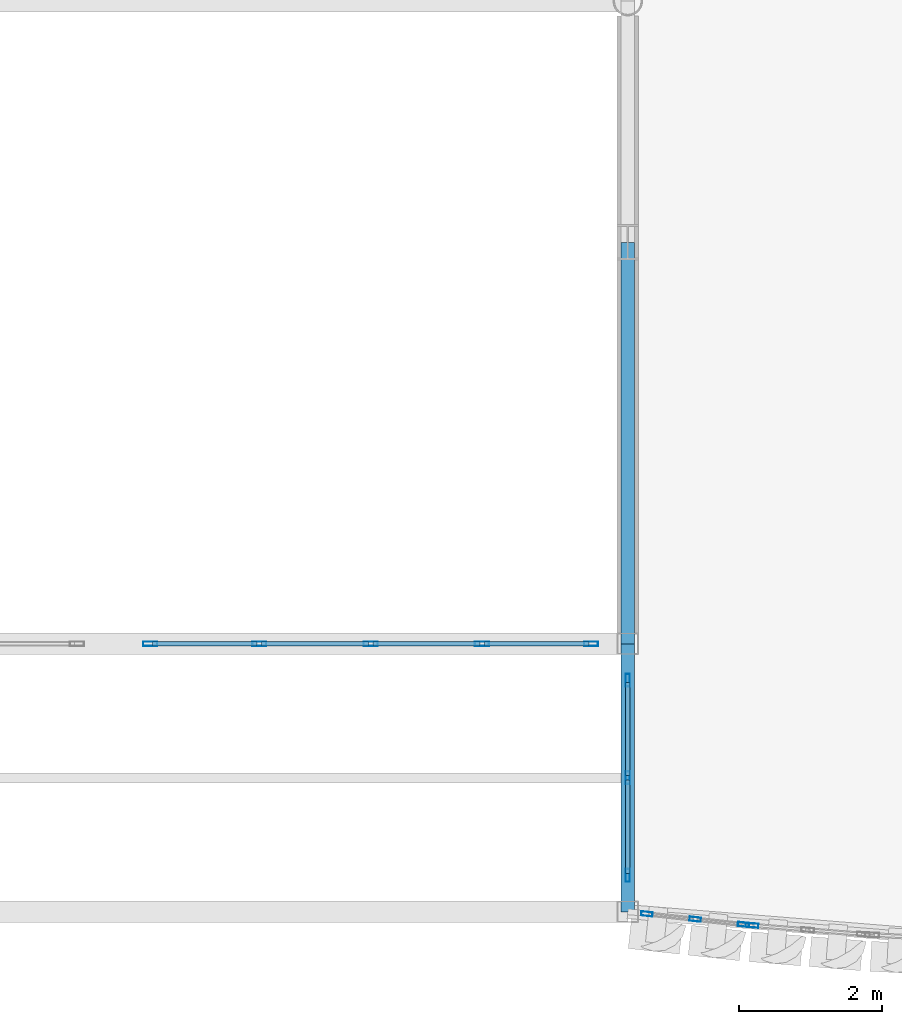
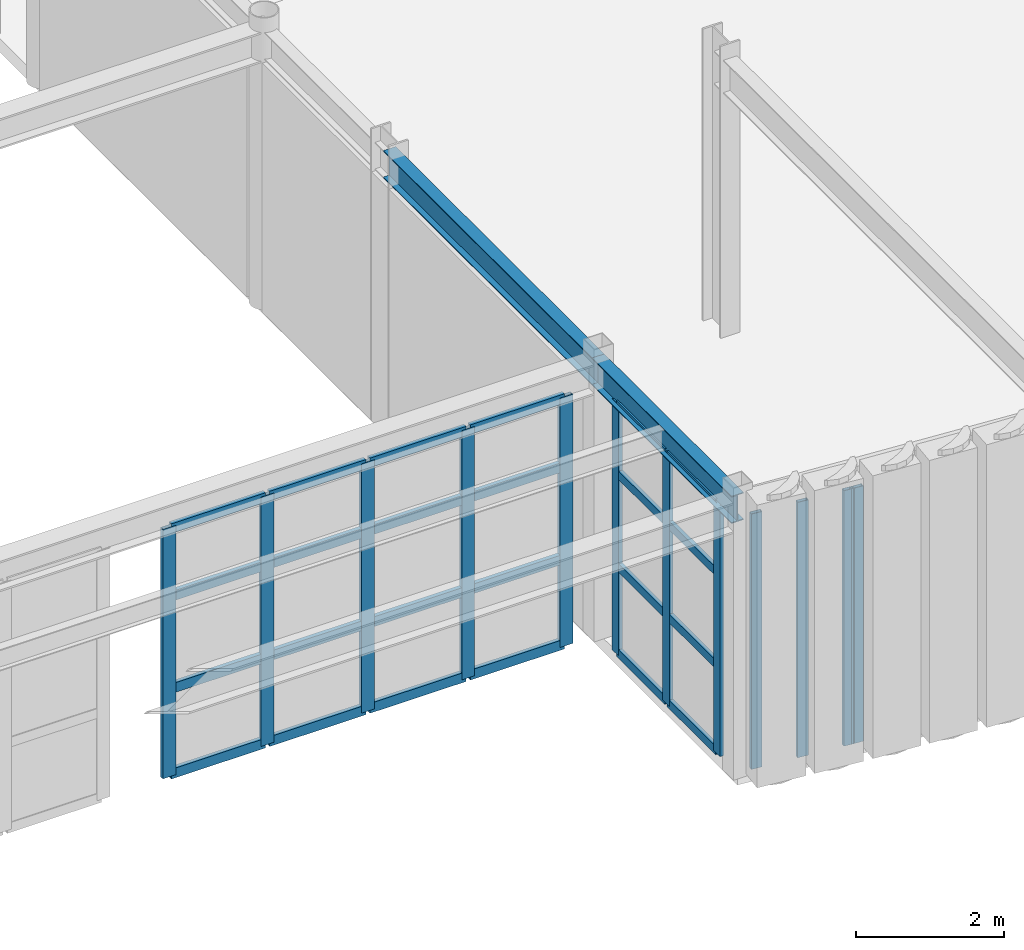
# One storey, part 43 of 121: 36 members, 2 beams, 4 elements without a shape of their own.
"""IFC4 building model written with IfcOpenShell, lengths in metres."""

import ifcopenshell
import ifcopenshell.guid

model = None  # the IFC model being written
_history = None  # IfcOwnerHistory: only IFC2X3 demands one
_inside = {}  # id of a spatial element -> (the spatial element, [elements in it])
_under = {}  # id of a project, library or spatial element -> (it, [spatial elements below it])
_declared = {}  # id of a project -> (the project, [libraries it declares])
_typed = {}  # id of a type object -> (the type object, [elements of that type])
_made_of = {}  # id of a material, layer set ... -> (it, [elements and type objects made of it])


def new_model(schema):
    """Start an empty IFC model of exactly this schema.

    Asked for "IFC4X3", IfcOpenShell would pick the latest addendum, in which some entities
    have other attributes; the version numbers below select the first issue.
    IFC2X3 requires an IfcOwnerHistory on every rooted entity: one is made here for all.
    """
    global model, _history
    if schema == "IFC4X3":
        model = ifcopenshell.file(schema_version=(4, 3, 0, 0))
    else:
        model = ifcopenshell.file(schema=schema)
    _inside.clear()
    _under.clear()
    _declared.clear()
    _typed.clear()
    _made_of.clear()
    _history = None
    if model.schema == "IFC2X3":
        org = make("IfcOrganization", Name="unknown")
        user = make(
            "IfcPersonAndOrganization",
            ThePerson=make("IfcPerson", FamilyName="unknown"),
            TheOrganization=org,
        )
        app = make(
            "IfcApplication",
            ApplicationDeveloper=org,
            Version="unknown",
            ApplicationFullName="unknown",
            ApplicationIdentifier="unknown",
        )
        _history = make(
            "IfcOwnerHistory",
            OwningUser=user,
            OwningApplication=app,
            ChangeAction="ADDED",
            CreationDate=0,
        )
    return model


def make(cls, **values):
    """One entity of the class cls with the attributes given. An attribute that is None is left unset."""
    return model.create_entity(
        cls, **{name: value for name, value in values.items() if value is not None}
    )


def rooted(cls, **values):
    """An entity with a GlobalId (a new one), such as an element, a storey or a relation."""
    return make(cls, GlobalId=ifcopenshell.guid.new(), OwnerHistory=_history, **values)


def si_unit(unit_type, name, prefix=None):
    """IfcSIUnit, for example si_unit("LENGTHUNIT", "METRE", prefix="MILLI")."""
    return make("IfcSIUnit", UnitType=unit_type, Prefix=prefix, Name=name)


def assignment(units):
    """IfcUnitAssignment: the units of a project."""
    return None if units is None else make("IfcUnitAssignment", Units=units)


def point(xyz):
    """IfcCartesianPoint."""
    return None if xyz is None else make("IfcCartesianPoint", Coordinates=xyz)


def direction(xyz):
    """IfcDirection."""
    return None if xyz is None else make("IfcDirection", DirectionRatios=xyz)


def frame(location, z_axis=None, x_axis=None):
    """IfcAxis2Placement3D, a coordinate frame: its origin and axes. An axis left out is left unset."""
    return make(
        "IfcAxis2Placement3D",
        Location=point(location),
        Axis=direction(z_axis),
        RefDirection=direction(x_axis),
    )


def frame_2d(location, x_axis=None):
    """IfcAxis2Placement2D, a coordinate frame in the plane: its origin and x axis."""
    return make(
        "IfcAxis2Placement2D", Location=point(location), RefDirection=direction(x_axis)
    )


def origin():
    """The frame at (0, 0, 0) with its axes left unset."""
    return frame((0.0, 0.0, 0.0))


def origin_2d():
    """The frame at (0, 0) in the plane with its x axis left unset."""
    return frame_2d((0.0, 0.0))


def place(relative_to, where):
    """IfcLocalPlacement: puts the frame where relative to a parent placement (None: the world)."""
    return make(
        "IfcLocalPlacement", PlacementRelTo=relative_to, RelativePlacement=where
    )


def context(
    kind, dimensions, precision=None, world=None, true_north=None, identifier=None
):
    """IfcGeometricRepresentationContext, for example the 3D "Model" context."""
    return make(
        "IfcGeometricRepresentationContext",
        ContextIdentifier=identifier,
        ContextType=kind,
        CoordinateSpaceDimension=dimensions,
        Precision=precision,
        WorldCoordinateSystem=world,
        TrueNorth=true_north,
    )


def subcontext(parent, identifier, kind, view, scale=None):
    """IfcGeometricRepresentationSubContext, for example "Body" below "Model"."""
    return make(
        "IfcGeometricRepresentationSubContext",
        ContextIdentifier=identifier,
        ContextType=kind,
        ParentContext=parent,
        TargetScale=scale,
        TargetView=view,
    )


def project(units=None, contexts=None):
    """IfcProject with its units and contexts."""
    return rooted(
        "IfcProject",
        Name="project",
        RepresentationContexts=contexts,
        UnitsInContext=assignment(units),
    )


def spatial(cls, under=None, at=None, **own):
    """A site, building, storey or space (cls), placed at a placement, below another one or the project."""
    s = rooted(cls, ObjectPlacement=at, **own)
    if under is not None:
        _under.setdefault(under.id(), (under, []))[1].append(s)
    return s


def profile(cls, at=None, kind="AREA", **sizes):
    """A parametric profile (cls). Its sizes go by their IFC names, for example OverallWidth=200.0."""
    return make(cls, ProfileType=kind, Position=at, **sizes)


def hollow_rectangle(**sizes):
    """IfcRectangleHollowProfileDef."""
    return profile("IfcRectangleHollowProfileDef", **sizes)


def i_section(**sizes):
    """IfcIShapeProfileDef."""
    return profile("IfcIShapeProfileDef", **sizes)


def extrude(swept, where, along, depth):
    """IfcExtrudedAreaSolid: the profile swept, set in the frame where, extruded along a direction by depth."""
    return make(
        "IfcExtrudedAreaSolid",
        SweptArea=swept,
        Position=where,
        ExtrudedDirection=direction(along),
        Depth=depth,
    )


def shape(context_of_items, identifier, shape_type, items):
    """IfcShapeRepresentation: the items that make up one representation, for example the "Body"."""
    return make(
        "IfcShapeRepresentation",
        ContextOfItems=context_of_items,
        RepresentationIdentifier=identifier,
        RepresentationType=shape_type,
        Items=items,
    )


def material(Name=None, Category=None):
    """IfcMaterial."""
    return make("IfcMaterial", Name=Name, Category=Category)


def layer(
    of_material, thickness, ventilated=None, Name=None, Category=None, Priority=None
):
    """IfcMaterialLayer: one layer of a wall or slab, of a material (None: an air gap)."""
    return make(
        "IfcMaterialLayer",
        Material=of_material,
        LayerThickness=thickness,
        IsVentilated=ventilated,
        Name=Name,
        Category=Category,
        Priority=Priority,
    )


def layer_set(layers, Name=None):
    """IfcMaterialLayerSet."""
    return make("IfcMaterialLayerSet", MaterialLayers=layers, LayerSetName=Name)


def material_profile(
    of_material, cross_section, Name=None, Category=None, Priority=None
):
    """IfcMaterialProfile: a cross section and its material."""
    return make(
        "IfcMaterialProfile",
        Name=Name,
        Material=of_material,
        Profile=cross_section,
        Priority=Priority,
        Category=Category,
    )


def profile_set(profiles, Name=None, composite=None):
    """IfcMaterialProfileSet."""
    return make(
        "IfcMaterialProfileSet",
        Name=Name,
        MaterialProfiles=profiles,
        CompositeProfile=composite,
    )


def made_of(thing, what):
    """Note that an element or type object is made of a material, layer set ...; save() writes the relation."""
    if what is not None:
        _made_of.setdefault(what.id(), (what, []))[1].append(thing)
    return thing


def type_object(cls, material=None, **own):
    """A type object (cls), such as IfcWallType, which elements share."""
    return made_of(rooted(cls, **own), material)


def element(
    cls,
    number,
    at=None,
    inside=None,
    cuts=None,
    type_object=None,
    material=None,
    context=None,
    identifier="Body",
    shape_type=None,
    held_by="IfcProductDefinitionShape",
    body=None,
    shapes=None,
    **own,
):
    """One element of the class cls, such as IfcWall. Its Tag is "e" and its number.

    at: its placement. inside: the storey or other place that contains it. cuts: it is an
    opening in that element (IfcRelVoidsElement). A single representation is given by context,
    identifier, shape_type and body (its items); several are given by shapes. held_by: the class
    of the entity that holds the representations. save() writes the other relations.
    """
    e = rooted(cls, Tag="e%d" % number, ObjectPlacement=at, **own)
    if body is not None:
        shapes = [shape(context, identifier, shape_type, body)]
    if shapes is not None:
        e.Representation = make(held_by, Representations=shapes)
    if inside is not None:
        _inside.setdefault(inside.id(), (inside, []))[1].append(e)
    if cuts is not None:
        rooted(
            "IfcRelVoidsElement", RelatingBuildingElement=cuts, RelatedOpeningElement=e
        )
    if type_object is not None:
        _typed.setdefault(type_object.id(), (type_object, []))[1].append(e)
    return made_of(e, material)


def aggregate(whole, parts):
    """IfcRelAggregates: a whole, such as a stair, and the parts it consists of."""
    return rooted("IfcRelAggregates", RelatingObject=whole, RelatedObjects=parts)


def save(model, path):
    """Write the relations noted so far, then the file.

    IfcRelAggregates (storeys below a building ...), IfcRelContainedInSpatialStructure (elements
    in a storey), IfcRelDefinesByType, IfcRelAssociatesMaterial and IfcRelDeclares: one each for
    every whole, place, type object, material and project.
    """
    for whole, parts in _under.values():
        aggregate(whole, parts)
    for where, things in _inside.values():
        rooted(
            "IfcRelContainedInSpatialStructure",
            RelatedElements=things,
            RelatingStructure=where,
        )
    for kind, things in _typed.values():
        rooted("IfcRelDefinesByType", RelatedObjects=things, RelatingType=kind)
    for what, things in _made_of.values():
        rooted("IfcRelAssociatesMaterial", RelatedObjects=things, RelatingMaterial=what)
    for by, libraries in _declared.values():
        rooted("IfcRelDeclares", RelatingContext=by, RelatedDefinitions=libraries)
    model.write(path)


model = new_model("IFC4")

# Units and contexts
model_context = context("Model", 3, precision=1e-05, world=origin(), true_north=direction((0.0, 1.0)))
body_context = subcontext(model_context, "Body", "Model", "MODEL_VIEW")
ifc_project = project(units=[si_unit("LENGTHUNIT", "METRE"), si_unit("AREAUNIT", "SQUARE_METRE"), si_unit("VOLUMEUNIT", "CUBIC_METRE"), si_unit("PLANEANGLEUNIT", "RADIAN"), si_unit("MASSUNIT", "GRAM", prefix="KILO")], contexts=[model_context])

# Site, building, storey
site_placement = place(None, origin())
site = spatial("IfcSite", under=ifc_project, at=site_placement, CompositionType="ELEMENT")
building_placement = place(site_placement, origin())
building = spatial("IfcBuilding", under=site, at=building_placement, Name="Solvadek Multi-Sports Hall", CompositionType="ELEMENT")
storey_placement = place(building_placement, frame((0.0, 0.0, 4.800048828125)))
storey = spatial("IfcBuildingStorey", under=building, at=storey_placement, Name="L01", CompositionType="ELEMENT", Elevation=4.800048828125)

# Curtain wall, members
ifc_material_1 = material(Name="Anodised aluminium", Category="aluminium")
ifc_layer_1 = layer(ifc_material_1, 0.159912109375, Name="Anodised aluminium")
ifc_layer_set_1 = layer_set([ifc_layer_1], Name="Anodised aluminium")
curtain_wall_type_1 = type_object("IfcCurtainWallType", Name="ENV-CW-142X420", PredefinedType="USERDEFINED", material=ifc_layer_set_1)
curtain_wall_1_placement = place(storey_placement, origin())
curtain_wall_1 = element("IfcCurtainWall", 1, at=curtain_wall_1_placement, inside=storey, type_object=curtain_wall_type_1, Name="L01 Crescent Curved Curtain Wall #55", ObjectType="CURTAIN WALL", PredefinedType="USERDEFINED")
ifc_material_profile_1 = material_profile(ifc_material_1, hollow_rectangle(XDim=0.06005859375, YDim=0.159912109375, WallThickness=0.00390625, at=origin_2d()), Name="ALU-M 160x60x4")
ifc_profile_set_1 = profile_set([ifc_material_profile_1], Name="Anodised aluminium")
member_type_1 = type_object("IfcMemberType", Name="ENV-CWM-01", PredefinedType="MULLION", material=ifc_profile_set_1)
member_1_placement = place(storey_placement, frame((86.66845703125, -12.782470703125, 0.0), z_axis=(0.0, 0.0, 1.0), x_axis=(0.109287601694, 0.994010171032, 0.0)))
member_1 = element("IfcMember", 2, at=member_1_placement, type_object=member_type_1, Name="CW-27 mullion 1", PredefinedType="MULLION", context=body_context, shape_type="SweptSolid", body=[
    extrude(hollow_rectangle(XDim=0.06005859375, YDim=0.159912109375, WallThickness=0.00390625, at=origin_2d()), origin(), (0.0, 0.0, 1.0), 4.199951171875),
])
member_2_placement = place(storey_placement, frame((87.344482421875, -12.856689453125, 0.0), z_axis=(0.0, 0.0, 1.0), x_axis=(0.109287601694, 0.994010171032, 0.0)))
member_2 = element("IfcMember", 3, at=member_2_placement, type_object=member_type_1, Name="CW-27 mullion 2", PredefinedType="MULLION", context=body_context, shape_type="SweptSolid", body=[
    extrude(hollow_rectangle(XDim=0.06005859375, YDim=0.159912109375, WallThickness=0.00390625, at=origin_2d()), origin(), (0.0, 0.0, 1.0), 4.199951171875),
])
member_3_placement = place(storey_placement, frame((88.020263671875, -12.930908203125, 0.0), z_axis=(0.0, 0.0, 1.0), x_axis=(0.109287601694, 0.994010171032, 0.0)))
member_3 = element("IfcMember", 4, at=member_3_placement, type_object=member_type_1, Name="CW-27 mullion 3", PredefinedType="MULLION", context=body_context, shape_type="SweptSolid", body=[
    extrude(hollow_rectangle(XDim=0.06005859375, YDim=0.159912109375, WallThickness=0.00390625, at=origin_2d()), origin(), (0.0, 0.0, 1.0), 4.199951171875),
])
aggregate(curtain_wall_1, [member_1, member_2, member_3])

# Curtain wall, member
ifc_layer_2 = layer(ifc_material_1, 0.159912109375, Name="Anodised aluminium")
ifc_layer_set_2 = layer_set([ifc_layer_2], Name="Anodised aluminium")
curtain_wall_type_2 = type_object("IfcCurtainWallType", Name="ENV-CW-163X420", PredefinedType="USERDEFINED", material=ifc_layer_set_2)
curtain_wall_2_placement = place(storey_placement, origin())
curtain_wall_2 = element("IfcCurtainWall", 5, at=curtain_wall_2_placement, inside=storey, type_object=curtain_wall_type_2, Name="L01 Crescent Curved Curtain Wall #57", ObjectType="CURTAIN WALL", PredefinedType="USERDEFINED")
ifc_material_profile_2 = material_profile(ifc_material_1, hollow_rectangle(XDim=0.06005859375, YDim=0.179931640625, WallThickness=0.00390625, at=origin_2d()), Name="ALU-M 180x60x4")
ifc_profile_set_2 = profile_set([ifc_material_profile_2], Name="Anodised aluminium")
member_type_2 = type_object("IfcMemberType", Name="ENV-CWM-02", PredefinedType="MULLION", material=ifc_profile_set_2)
member_4_placement = place(storey_placement, frame((88.139892578125, -12.9423828125, 0.0), z_axis=(0.0, 0.0, 1.0), x_axis=(0.080468973281, 0.996757114015, 0.0)))
member_4 = element("IfcMember", 6, at=member_4_placement, type_object=member_type_2, Name="CW-15 mullion 1", PredefinedType="MULLION", context=body_context, shape_type="SweptSolid", body=[
    extrude(hollow_rectangle(XDim=0.06005859375, YDim=0.179931640625, WallThickness=0.00390625, at=origin_2d()), origin(), (0.0, 0.0, 1.0), 4.199951171875),
])
aggregate(curtain_wall_2, [member_4])

# Curtain wall, members
ifc_layer_3 = layer(ifc_material_1, 0.159912109375, Name="Anodised aluminium")
ifc_layer_set_3 = layer_set([ifc_layer_3], Name="Anodised aluminium")
curtain_wall_type_3 = type_object("IfcCurtainWallType", Name="ENV-CW-279X413", PredefinedType="USERDEFINED", material=ifc_layer_set_3)
curtain_wall_3_placement = place(storey_placement, origin())
curtain_wall_3 = element("IfcCurtainWall", 7, at=curtain_wall_3_placement, inside=storey, type_object=curtain_wall_type_3, Name="L01 Perimeter Bay Curtain Wall #122", ObjectType="CURTAIN WALL", PredefinedType="USERDEFINED")
member_5_placement = place(storey_placement, frame((86.39990234375, -12.242919921875, 0.0), z_axis=(0.0, 0.0, 1.0), x_axis=(-1.0, 0.0, 0.0)))
member_5 = element("IfcMember", 8, at=member_5_placement, type_object=member_type_2, Name="CW-41 mullion 1", PredefinedType="MULLION", context=body_context, shape_type="SweptSolid", body=[
    extrude(hollow_rectangle(XDim=0.06005859375, YDim=0.179931640625, WallThickness=0.00390625, at=origin_2d()), origin(), (0.0, 0.0, 1.0), 4.125),
])
member_6_placement = place(storey_placement, frame((86.39990234375, -10.87646484375, 0.0), z_axis=(0.0, 0.0, 1.0), x_axis=(-1.0, 0.0, 0.0)))
member_6 = element("IfcMember", 9, at=member_6_placement, type_object=member_type_2, Name="CW-41 mullion 2", PredefinedType="MULLION", context=body_context, shape_type="SweptSolid", body=[
    extrude(hollow_rectangle(XDim=0.06005859375, YDim=0.179931640625, WallThickness=0.00390625, at=origin_2d()), origin(), (0.0, 0.0, 1.0), 4.125),
])
member_7_placement = place(storey_placement, frame((86.39990234375, -9.510009765625, 0.0), z_axis=(0.0, 0.0, 1.0), x_axis=(-1.0, 0.0, 0.0)))
member_7 = element("IfcMember", 10, at=member_7_placement, type_object=member_type_2, Name="CW-41 mullion 3", PredefinedType="MULLION", context=body_context, shape_type="SweptSolid", body=[
    extrude(hollow_rectangle(XDim=0.06005859375, YDim=0.179931640625, WallThickness=0.00390625, at=origin_2d()), origin(), (0.0, 0.0, 1.0), 4.125),
])

ifc_layer_4 = layer(ifc_material_1, 0.159912109375, Name="Anodised aluminium")
ifc_layer_set_4 = layer_set([ifc_layer_4], Name="Anodised aluminium")
curtain_wall_type_4 = type_object("IfcCurtainWallType", Name="ENV-CW-624X410", PredefinedType="USERDEFINED", material=ifc_layer_set_4)
curtain_wall_4_placement = place(storey_placement, origin())
curtain_wall_4 = element("IfcCurtainWall", 11, at=curtain_wall_4_placement, inside=storey, type_object=curtain_wall_type_4, Name="L01 Perimeter Bay Curtain Wall #118", ObjectType="CURTAIN WALL", PredefinedType="USERDEFINED")
ifc_material_profile_3 = material_profile(ifc_material_1, hollow_rectangle(XDim=0.06494140625, YDim=0.199951171875, WallThickness=0.0048828125, at=origin_2d()), Name="ALU-M 200x65x5")
ifc_profile_set_3 = profile_set([ifc_material_profile_3], Name="Anodised aluminium")
member_type_3 = type_object("IfcMemberType", Name="ENV-CWM-03", PredefinedType="MULLION", material=ifc_profile_set_3)
member_8_placement = place(storey_placement, frame((79.71240234375, -9.0, 0.0), z_axis=(0.0, 0.0, 1.0), x_axis=(0.0, 1.0, 0.0)))
member_8 = element("IfcMember", 12, at=member_8_placement, type_object=member_type_3, Name="CW-39 mullion 1", PredefinedType="MULLION", context=body_context, shape_type="SweptSolid", body=[
    extrude(hollow_rectangle(XDim=0.06494140625, YDim=0.199951171875, WallThickness=0.0048828125, at=origin_2d()), origin(), (0.0, 0.0, 1.0), 4.099853515625),
])
member_9_placement = place(storey_placement, frame((81.239990234375, -9.0, 0.0), z_axis=(0.0, 0.0, 1.0), x_axis=(0.0, 1.0, 0.0)))
member_9 = element("IfcMember", 13, at=member_9_placement, type_object=member_type_3, Name="CW-39 mullion 2", PredefinedType="MULLION", context=body_context, shape_type="SweptSolid", body=[
    extrude(hollow_rectangle(XDim=0.06494140625, YDim=0.199951171875, WallThickness=0.0048828125, at=origin_2d()), origin(), (0.0, 0.0, 1.0), 4.099853515625),
])
member_10_placement = place(storey_placement, frame((82.800048828125, -9.0, 0.0), z_axis=(0.0, 0.0, 1.0), x_axis=(0.0, 1.0, 0.0)))
member_10 = element("IfcMember", 14, at=member_10_placement, type_object=member_type_3, Name="CW-39 mullion 3", PredefinedType="MULLION", context=body_context, shape_type="SweptSolid", body=[
    extrude(hollow_rectangle(XDim=0.06494140625, YDim=0.199951171875, WallThickness=0.0048828125, at=origin_2d()), origin(), (0.0, 0.0, 1.0), 4.099853515625),
])
member_11_placement = place(storey_placement, frame((84.360107421875, -9.0, 0.0), z_axis=(0.0, 0.0, 1.0), x_axis=(0.0, 1.0, 0.0)))
member_11 = element("IfcMember", 15, at=member_11_placement, type_object=member_type_3, Name="CW-39 mullion 4", PredefinedType="MULLION", context=body_context, shape_type="SweptSolid", body=[
    extrude(hollow_rectangle(XDim=0.06494140625, YDim=0.199951171875, WallThickness=0.0048828125, at=origin_2d()), origin(), (0.0, 0.0, 1.0), 4.099853515625),
])
member_12_placement = place(storey_placement, frame((85.887451171875, -9.0, 0.0), z_axis=(0.0, 0.0, 1.0), x_axis=(0.0, 1.0, 0.0)))
member_12 = element("IfcMember", 16, at=member_12_placement, type_object=member_type_3, Name="CW-39 mullion 5", PredefinedType="MULLION", context=body_context, shape_type="SweptSolid", body=[
    extrude(hollow_rectangle(XDim=0.06494140625, YDim=0.199951171875, WallThickness=0.0048828125, at=origin_2d()), origin(), (0.0, 0.0, 1.0), 4.099853515625),
])

# Member
ifc_material_profile_4 = material_profile(ifc_material_1, hollow_rectangle(XDim=0.06005859375, YDim=0.139892578125, WallThickness=0.00390625, at=origin_2d()), Name="ALU-T 140x60x4")
ifc_profile_set_4 = profile_set([ifc_material_profile_4], Name="Anodised aluminium")
member_type_4 = type_object("IfcMemberType", Name="ENV-CWT-02", PredefinedType="USERDEFINED", material=ifc_profile_set_4)
member_13_placement = place(storey_placement, frame((86.39990234375, -12.212890625, 0.030029296875), z_axis=(0.0, 1.0, 0.0), x_axis=(-1.0, 0.0, 0.0)))
member_13 = element("IfcMember", 17, at=member_13_placement, type_object=member_type_4, Name="CW-41 transom 1.1", ObjectType="TRANSOM", PredefinedType="USERDEFINED", context=body_context, shape_type="SweptSolid", body=[
    extrude(hollow_rectangle(XDim=0.06005859375, YDim=0.139892578125, WallThickness=0.00390625, at=origin_2d()), origin(), (0.0, 0.0, 1.0), 1.306396484375),
])

member_14_placement = place(storey_placement, frame((86.39990234375, -12.212890625, 1.44384765625), z_axis=(0.0, 1.0, 0.0), x_axis=(-1.0, 0.0, 0.0)))
member_14 = element("IfcMember", 18, at=member_14_placement, type_object=member_type_4, Name="CW-41 transom 1.2", ObjectType="TRANSOM", PredefinedType="USERDEFINED", context=body_context, shape_type="SweptSolid", body=[
    extrude(hollow_rectangle(XDim=0.06005859375, YDim=0.139892578125, WallThickness=0.00390625, at=origin_2d()), origin(), (0.0, 0.0, 1.0), 1.306396484375),
])

member_15_placement = place(storey_placement, frame((86.39990234375, -12.212890625, 2.969970703125), z_axis=(0.0, 1.0, 0.0), x_axis=(-1.0, 0.0, 0.0)))
member_15 = element("IfcMember", 19, at=member_15_placement, type_object=member_type_4, Name="CW-41 transom 1.3", ObjectType="TRANSOM", PredefinedType="USERDEFINED", context=body_context, shape_type="SweptSolid", body=[
    extrude(hollow_rectangle(XDim=0.06005859375, YDim=0.139892578125, WallThickness=0.00390625, at=origin_2d()), origin(), (0.0, 0.0, 1.0), 1.306396484375),
])

member_16_placement = place(storey_placement, frame((86.39990234375, -12.212890625, 4.094970703125), z_axis=(0.0, 1.0, 0.0), x_axis=(-1.0, 0.0, 0.0)))
member_16 = element("IfcMember", 20, at=member_16_placement, type_object=member_type_4, Name="CW-41 transom 1.4", ObjectType="TRANSOM", PredefinedType="USERDEFINED", context=body_context, shape_type="SweptSolid", body=[
    extrude(hollow_rectangle(XDim=0.06005859375, YDim=0.139892578125, WallThickness=0.00390625, at=origin_2d()), origin(), (0.0, 0.0, 1.0), 1.306396484375),
])

member_17_placement = place(storey_placement, frame((86.39990234375, -10.846435546875, 0.030029296875), z_axis=(0.0, 1.0, 0.0), x_axis=(-1.0, 0.0, 0.0)))
member_17 = element("IfcMember", 21, at=member_17_placement, type_object=member_type_4, Name="CW-41 transom 2.1", ObjectType="TRANSOM", PredefinedType="USERDEFINED", context=body_context, shape_type="SweptSolid", body=[
    extrude(hollow_rectangle(XDim=0.06005859375, YDim=0.139892578125, WallThickness=0.00390625, at=origin_2d()), origin(), (0.0, 0.0, 1.0), 1.306396484375),
])

member_18_placement = place(storey_placement, frame((86.39990234375, -10.846435546875, 1.44384765625), z_axis=(0.0, 1.0, 0.0), x_axis=(-1.0, 0.0, 0.0)))
member_18 = element("IfcMember", 22, at=member_18_placement, type_object=member_type_4, Name="CW-41 transom 2.2", ObjectType="TRANSOM", PredefinedType="USERDEFINED", context=body_context, shape_type="SweptSolid", body=[
    extrude(hollow_rectangle(XDim=0.06005859375, YDim=0.139892578125, WallThickness=0.00390625, at=origin_2d()), origin(), (0.0, 0.0, 1.0), 1.306396484375),
])

member_19_placement = place(storey_placement, frame((86.39990234375, -10.846435546875, 2.969970703125), z_axis=(0.0, 1.0, 0.0), x_axis=(-1.0, 0.0, 0.0)))
member_19 = element("IfcMember", 23, at=member_19_placement, type_object=member_type_4, Name="CW-41 transom 2.3", ObjectType="TRANSOM", PredefinedType="USERDEFINED", context=body_context, shape_type="SweptSolid", body=[
    extrude(hollow_rectangle(XDim=0.06005859375, YDim=0.139892578125, WallThickness=0.00390625, at=origin_2d()), origin(), (0.0, 0.0, 1.0), 1.306396484375),
])

member_20_placement = place(storey_placement, frame((86.39990234375, -10.846435546875, 4.094970703125), z_axis=(0.0, 1.0, 0.0), x_axis=(-1.0, 0.0, 0.0)))
member_20 = element("IfcMember", 24, at=member_20_placement, type_object=member_type_4, Name="CW-41 transom 2.4", ObjectType="TRANSOM", PredefinedType="USERDEFINED", context=body_context, shape_type="SweptSolid", body=[
    extrude(hollow_rectangle(XDim=0.06005859375, YDim=0.139892578125, WallThickness=0.00390625, at=origin_2d()), origin(), (0.0, 0.0, 1.0), 1.306396484375),
])

aggregate(curtain_wall_3, [member_5, member_6, member_7, member_13, member_14, member_15, member_16, member_17, member_18, member_19, member_20])

ifc_material_profile_5 = material_profile(ifc_material_1, hollow_rectangle(XDim=0.06494140625, YDim=0.159912109375, WallThickness=0.00390625, at=origin_2d()), Name="ALU-T 160x65x4")
ifc_profile_set_5 = profile_set([ifc_material_profile_5], Name="Anodised aluminium")
member_type_5 = type_object("IfcMemberType", Name="ENV-CWT-03", PredefinedType="USERDEFINED", material=ifc_profile_set_5)
member_21_placement = place(storey_placement, frame((79.7451171875, -9.0, 0.032470703125), z_axis=(1.0, 0.0, 0.0), x_axis=(0.0, 1.0, 0.0)))
member_21 = element("IfcMember", 25, at=member_21_placement, type_object=member_type_5, Name="CW-39 transom 1.1", ObjectType="TRANSOM", PredefinedType="USERDEFINED", context=body_context, shape_type="SweptSolid", body=[
    extrude(hollow_rectangle(XDim=0.06494140625, YDim=0.159912109375, WallThickness=0.00390625, at=origin_2d()), origin(), (0.0, 0.0, 1.0), 1.46240234375),
])

member_22_placement = place(storey_placement, frame((79.7451171875, -9.0, 1.43505859375), z_axis=(1.0, 0.0, 0.0), x_axis=(0.0, 1.0, 0.0)))
member_22 = element("IfcMember", 26, at=member_22_placement, type_object=member_type_5, Name="CW-39 transom 1.2", ObjectType="TRANSOM", PredefinedType="USERDEFINED", context=body_context, shape_type="SweptSolid", body=[
    extrude(hollow_rectangle(XDim=0.06494140625, YDim=0.159912109375, WallThickness=0.00390625, at=origin_2d()), origin(), (0.0, 0.0, 1.0), 1.46240234375),
])

member_23_placement = place(storey_placement, frame((79.7451171875, -9.0, 2.951904296875), z_axis=(1.0, 0.0, 0.0), x_axis=(0.0, 1.0, 0.0)))
member_23 = element("IfcMember", 27, at=member_23_placement, type_object=member_type_5, Name="CW-39 transom 1.3", ObjectType="TRANSOM", PredefinedType="USERDEFINED", context=body_context, shape_type="SweptSolid", body=[
    extrude(hollow_rectangle(XDim=0.06494140625, YDim=0.159912109375, WallThickness=0.00390625, at=origin_2d()), origin(), (0.0, 0.0, 1.0), 1.46240234375),
])

member_24_placement = place(storey_placement, frame((79.7451171875, -9.0, 4.0673828125), z_axis=(1.0, 0.0, 0.0), x_axis=(0.0, 1.0, 0.0)))
member_24 = element("IfcMember", 28, at=member_24_placement, type_object=member_type_5, Name="CW-39 transom 1.4", ObjectType="TRANSOM", PredefinedType="USERDEFINED", context=body_context, shape_type="SweptSolid", body=[
    extrude(hollow_rectangle(XDim=0.06494140625, YDim=0.159912109375, WallThickness=0.00390625, at=origin_2d()), origin(), (0.0, 0.0, 1.0), 1.46240234375),
])

member_25_placement = place(storey_placement, frame((81.2724609375, -9.0, 0.032470703125), z_axis=(1.0, 0.0, 0.0), x_axis=(0.0, 1.0, 0.0)))
member_25 = element("IfcMember", 29, at=member_25_placement, type_object=member_type_5, Name="CW-39 transom 2.1", ObjectType="TRANSOM", PredefinedType="USERDEFINED", context=body_context, shape_type="SweptSolid", body=[
    extrude(hollow_rectangle(XDim=0.06494140625, YDim=0.159912109375, WallThickness=0.00390625, at=origin_2d()), origin(), (0.0, 0.0, 1.0), 1.4951171875),
])

member_26_placement = place(storey_placement, frame((81.2724609375, -9.0, 1.43505859375), z_axis=(1.0, 0.0, 0.0), x_axis=(0.0, 1.0, 0.0)))
member_26 = element("IfcMember", 30, at=member_26_placement, type_object=member_type_5, Name="CW-39 transom 2.2", ObjectType="TRANSOM", PredefinedType="USERDEFINED", context=body_context, shape_type="SweptSolid", body=[
    extrude(hollow_rectangle(XDim=0.06494140625, YDim=0.159912109375, WallThickness=0.00390625, at=origin_2d()), origin(), (0.0, 0.0, 1.0), 1.4951171875),
])

member_27_placement = place(storey_placement, frame((81.2724609375, -9.0, 2.951904296875), z_axis=(1.0, 0.0, 0.0), x_axis=(0.0, 1.0, 0.0)))
member_27 = element("IfcMember", 31, at=member_27_placement, type_object=member_type_5, Name="CW-39 transom 2.3", ObjectType="TRANSOM", PredefinedType="USERDEFINED", context=body_context, shape_type="SweptSolid", body=[
    extrude(hollow_rectangle(XDim=0.06494140625, YDim=0.159912109375, WallThickness=0.00390625, at=origin_2d()), origin(), (0.0, 0.0, 1.0), 1.4951171875),
])

member_28_placement = place(storey_placement, frame((81.2724609375, -9.0, 4.0673828125), z_axis=(1.0, 0.0, 0.0), x_axis=(0.0, 1.0, 0.0)))
member_28 = element("IfcMember", 32, at=member_28_placement, type_object=member_type_5, Name="CW-39 transom 2.4", ObjectType="TRANSOM", PredefinedType="USERDEFINED", context=body_context, shape_type="SweptSolid", body=[
    extrude(hollow_rectangle(XDim=0.06494140625, YDim=0.159912109375, WallThickness=0.00390625, at=origin_2d()), origin(), (0.0, 0.0, 1.0), 1.4951171875),
])

member_29_placement = place(storey_placement, frame((82.83251953125, -9.0, 0.032470703125), z_axis=(1.0, 0.0, 0.0), x_axis=(0.0, 1.0, 0.0)))
member_29 = element("IfcMember", 33, at=member_29_placement, type_object=member_type_5, Name="CW-39 transom 3.1", ObjectType="TRANSOM", PredefinedType="USERDEFINED", context=body_context, shape_type="SweptSolid", body=[
    extrude(hollow_rectangle(XDim=0.06494140625, YDim=0.159912109375, WallThickness=0.00390625, at=origin_2d()), origin(), (0.0, 0.0, 1.0), 1.494873046875),
])

member_30_placement = place(storey_placement, frame((82.83251953125, -9.0, 1.43505859375), z_axis=(1.0, 0.0, 0.0), x_axis=(0.0, 1.0, 0.0)))
member_30 = element("IfcMember", 34, at=member_30_placement, type_object=member_type_5, Name="CW-39 transom 3.2", ObjectType="TRANSOM", PredefinedType="USERDEFINED", context=body_context, shape_type="SweptSolid", body=[
    extrude(hollow_rectangle(XDim=0.06494140625, YDim=0.159912109375, WallThickness=0.00390625, at=origin_2d()), origin(), (0.0, 0.0, 1.0), 1.494873046875),
])

member_31_placement = place(storey_placement, frame((82.83251953125, -9.0, 2.951904296875), z_axis=(1.0, 0.0, 0.0), x_axis=(0.0, 1.0, 0.0)))
member_31 = element("IfcMember", 35, at=member_31_placement, type_object=member_type_5, Name="CW-39 transom 3.3", ObjectType="TRANSOM", PredefinedType="USERDEFINED", context=body_context, shape_type="SweptSolid", body=[
    extrude(hollow_rectangle(XDim=0.06494140625, YDim=0.159912109375, WallThickness=0.00390625, at=origin_2d()), origin(), (0.0, 0.0, 1.0), 1.494873046875),
])

member_32_placement = place(storey_placement, frame((82.83251953125, -9.0, 4.0673828125), z_axis=(1.0, 0.0, 0.0), x_axis=(0.0, 1.0, 0.0)))
member_32 = element("IfcMember", 36, at=member_32_placement, type_object=member_type_5, Name="CW-39 transom 3.4", ObjectType="TRANSOM", PredefinedType="USERDEFINED", context=body_context, shape_type="SweptSolid", body=[
    extrude(hollow_rectangle(XDim=0.06494140625, YDim=0.159912109375, WallThickness=0.00390625, at=origin_2d()), origin(), (0.0, 0.0, 1.0), 1.494873046875),
])

member_33_placement = place(storey_placement, frame((84.392578125, -9.0, 0.032470703125), z_axis=(1.0, 0.0, 0.0), x_axis=(0.0, 1.0, 0.0)))
member_33 = element("IfcMember", 37, at=member_33_placement, type_object=member_type_5, Name="CW-39 transom 4.1", ObjectType="TRANSOM", PredefinedType="USERDEFINED", context=body_context, shape_type="SweptSolid", body=[
    extrude(hollow_rectangle(XDim=0.06494140625, YDim=0.159912109375, WallThickness=0.00390625, at=origin_2d()), origin(), (0.0, 0.0, 1.0), 1.46240234375),
])

member_34_placement = place(storey_placement, frame((84.392578125, -9.0, 1.43505859375), z_axis=(1.0, 0.0, 0.0), x_axis=(0.0, 1.0, 0.0)))
member_34 = element("IfcMember", 38, at=member_34_placement, type_object=member_type_5, Name="CW-39 transom 4.2", ObjectType="TRANSOM", PredefinedType="USERDEFINED", context=body_context, shape_type="SweptSolid", body=[
    extrude(hollow_rectangle(XDim=0.06494140625, YDim=0.159912109375, WallThickness=0.00390625, at=origin_2d()), origin(), (0.0, 0.0, 1.0), 1.46240234375),
])

member_35_placement = place(storey_placement, frame((84.392578125, -9.0, 2.951904296875), z_axis=(1.0, 0.0, 0.0), x_axis=(0.0, 1.0, 0.0)))
member_35 = element("IfcMember", 39, at=member_35_placement, type_object=member_type_5, Name="CW-39 transom 4.3", ObjectType="TRANSOM", PredefinedType="USERDEFINED", context=body_context, shape_type="SweptSolid", body=[
    extrude(hollow_rectangle(XDim=0.06494140625, YDim=0.159912109375, WallThickness=0.00390625, at=origin_2d()), origin(), (0.0, 0.0, 1.0), 1.46240234375),
])

member_36_placement = place(storey_placement, frame((84.392578125, -9.0, 4.0673828125), z_axis=(1.0, 0.0, 0.0), x_axis=(0.0, 1.0, 0.0)))
member_36 = element("IfcMember", 40, at=member_36_placement, type_object=member_type_5, Name="CW-39 transom 4.4", ObjectType="TRANSOM", PredefinedType="USERDEFINED", context=body_context, shape_type="SweptSolid", body=[
    extrude(hollow_rectangle(XDim=0.06494140625, YDim=0.159912109375, WallThickness=0.00390625, at=origin_2d()), origin(), (0.0, 0.0, 1.0), 1.46240234375),
])

aggregate(curtain_wall_4, [member_8, member_9, member_10, member_11, member_12, member_21, member_22, member_23, member_24, member_25, member_26, member_27, member_28, member_29, member_30, member_31, member_32, member_33, member_34, member_35, member_36])

# Beams
ifc_material_2 = material(Name="Steel E350 (350 MPa)", Category="steel")
ifc_material_profile_6 = material_profile(ifc_material_2, i_section(OverallWidth=0.18994140625, OverallDepth=0.449951171875, WebThickness=0.009521484375, FlangeThickness=0.0146484375, at=origin_2d()), Name="NPB 450")
ifc_profile_set_6 = profile_set([ifc_material_profile_6], Name="Steel E350 (350 MPa)")
beam_type = type_object("IfcBeamType", Name="STR-BM-NPB450", PredefinedType="BEAM", material=ifc_profile_set_6)
beam_1_placement = place(storey_placement, frame((86.39990234375, -12.7529296875, 4.3349609375), z_axis=(0.0, 1.0, 0.0), x_axis=(-1.0, 0.0, 0.0)))
element("IfcBeam", 41, at=beam_1_placement, inside=storey, type_object=beam_type, Name="L01 Girder B-08 #1262", PredefinedType="BEAM", context=body_context, shape_type="SweptSolid", body=[
    extrude(i_section(OverallWidth=0.18994140625, OverallDepth=0.449951171875, WebThickness=0.009521484375, FlangeThickness=0.0146484375, at=origin_2d()), origin(), (0.0, 0.0, 1.0), 3.7529296875),
])
beam_2_placement = place(storey_placement, frame((86.39990234375, -9.0, 4.3349609375), z_axis=(0.0, 1.0, 0.0), x_axis=(-1.0, 0.0, 0.0)))
element("IfcBeam", 42, at=beam_2_placement, inside=storey, type_object=beam_type, Name="L01 Girder B-08 #1263", PredefinedType="BEAM", context=body_context, shape_type="SweptSolid", body=[
    extrude(i_section(OverallWidth=0.18994140625, OverallDepth=0.449951171875, WebThickness=0.009521484375, FlangeThickness=0.0146484375, at=origin_2d()), origin(), (0.0, 0.0, 1.0), 5.62353515625),
])

save(model, "model.ifc")
